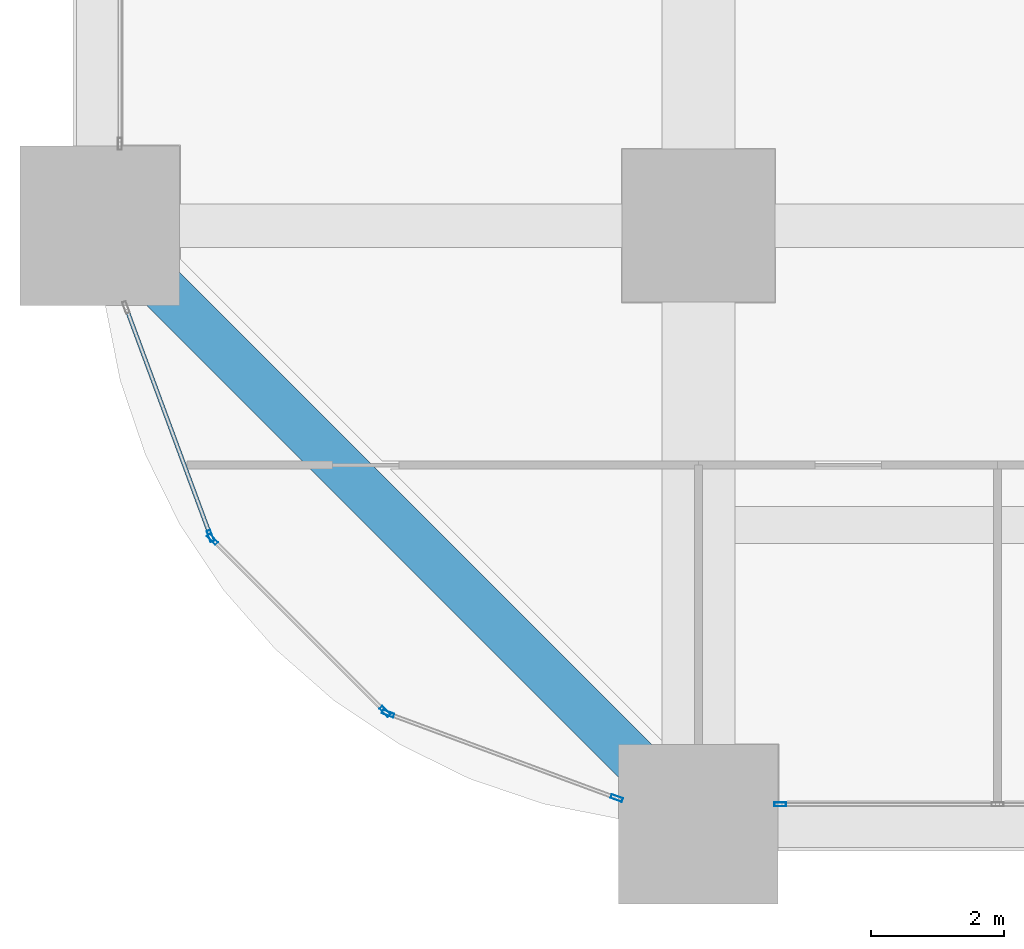
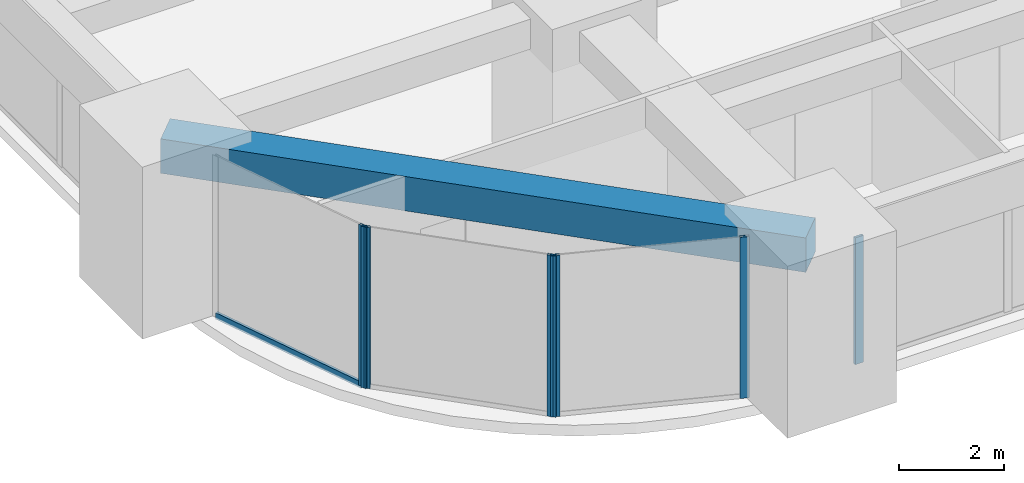
# One storey, part 2 of 45: 7 members, 1 beam, 4 elements without a shape of their own.
"""IFC4 building model written with IfcOpenShell, lengths in metres."""

from ifc_helpers import new_model, si_unit, direction, frame, origin, origin_2d, place, context, subcontext, project, spatial, rectangle, hollow_rectangle, extrude, material, material_profile, profile_set, type_object, element, aggregate, save


model = new_model("IFC4")

# Units and contexts
model_context = context("Model", 3, precision=1e-05, world=origin(), true_north=direction((0.0, 1.0)))
body_context = subcontext(model_context, "Body", "Model", "MODEL_VIEW")
ifc_project = project(units=[si_unit("LENGTHUNIT", "METRE"), si_unit("AREAUNIT", "SQUARE_METRE"), si_unit("VOLUMEUNIT", "CUBIC_METRE"), si_unit("PLANEANGLEUNIT", "RADIAN"), si_unit("MASSUNIT", "GRAM", prefix="KILO")], contexts=[model_context])

# Site, building, storey
site_placement = place(None, origin())
site = spatial("IfcSite", under=ifc_project, at=site_placement, CompositionType="ELEMENT")
building_placement = place(site_placement, origin())
building = spatial("IfcBuilding", under=site, at=building_placement, Name="Zorevar Civic Tower", CompositionType="ELEMENT")
storey_placement = place(building_placement, frame((0.0, 0.0, 47.800048828125)))
storey = spatial("IfcBuildingStorey", under=building, at=storey_placement, Name="L11", CompositionType="ELEMENT", Elevation=47.800048828125)

# Curtain wall, member
ifc_material_1 = material(Name="Dark grey solar-control glass in black aluminium frame", Category="aluminium")
curtain_wall_type = type_object("IfcCurtainWallType", Name="Curtain wall CW2 low zone", PredefinedType="NOTDEFINED", material=ifc_material_1)
curtain_wall_1_placement = place(storey_placement, origin())
curtain_wall_1 = element("IfcCurtainWall", 1, at=curtain_wall_1_placement, inside=storey, type_object=curtain_wall_type, Name="CW2 L11", PredefinedType="NOTDEFINED")
ifc_material_2 = material(Name="Aluminium, black anodised", Category="aluminium")
ifc_material_profile_1 = material_profile(ifc_material_2, hollow_rectangle(XDim=0.06005859375, YDim=0.179931640625, WallThickness=0.00390625, at=origin_2d()), Name="AL 180x60x4")
ifc_profile_set_1 = profile_set([ifc_material_profile_1], Name="Aluminium, black anodised")
member_type_1 = type_object("IfcMemberType", Name="CW2 mullion AL 180x60x4", PredefinedType="MULLION", material=ifc_profile_set_1)
member_1_placement = place(storey_placement, frame((10.22998046875, 0.300048828125, 0.0), z_axis=(0.0, 0.0, 1.0), x_axis=(0.0, 1.0, 0.0)))
member_1 = element("IfcMember", 2, at=member_1_placement, type_object=member_type_1, Name="CW2 mullion 1", PredefinedType="MULLION", context=body_context, shape_type="SweptSolid", body=[
    extrude(hollow_rectangle(XDim=0.06005859375, YDim=0.179931640625, WallThickness=0.00390625, at=origin_2d()), origin(), (0.0, 0.0, 1.0), 2.949951171875),
])
aggregate(curtain_wall_1, [member_1])

curtain_wall_2_placement = place(storey_placement, origin())
curtain_wall_2 = element("IfcCurtainWall", 3, at=curtain_wall_2_placement, inside=storey, type_object=curtain_wall_type, Name="CW2 L11", PredefinedType="NOTDEFINED")
member_2_placement = place(storey_placement, frame((1.663818359375, 4.33544921875, 0.0), z_axis=(0.0, 0.0, 1.0), x_axis=(0.937974588163, 0.346704012033, 0.0)))
member_2 = element("IfcMember", 4, at=member_2_placement, type_object=member_type_1, Name="CW2 mullion 2", PredefinedType="MULLION", context=body_context, shape_type="SweptSolid", body=[
    extrude(hollow_rectangle(XDim=0.06005859375, YDim=0.179931640625, WallThickness=0.00390625, at=origin_2d()), origin(), (0.0, 0.0, 1.0), 3.75),
])

# Curtain wall, members
curtain_wall_3_placement = place(storey_placement, origin())
curtain_wall_3 = element("IfcCurtainWall", 5, at=curtain_wall_3_placement, inside=storey, type_object=curtain_wall_type, Name="CW2 L11", PredefinedType="NOTDEFINED")
member_3_placement = place(storey_placement, frame((1.6953125, 4.2861328125, 0.0), z_axis=(0.0, 0.0, 1.0), x_axis=(0.707106781187, 0.707106781187, 0.0)))
member_3 = element("IfcMember", 6, at=member_3_placement, type_object=member_type_1, Name="CW2 mullion 1", PredefinedType="MULLION", context=body_context, shape_type="SweptSolid", body=[
    extrude(hollow_rectangle(XDim=0.06005859375, YDim=0.179931640625, WallThickness=0.00390625, at=origin_2d()), origin(), (0.0, 0.0, 1.0), 3.75),
])
member_4_placement = place(storey_placement, frame((4.2861328125, 1.6953125, 0.0), z_axis=(0.0, 0.0, 1.0), x_axis=(0.707106781187, 0.707106781187, 0.0)))
member_4 = element("IfcMember", 7, at=member_4_placement, type_object=member_type_1, Name="CW2 mullion 2", PredefinedType="MULLION", context=body_context, shape_type="SweptSolid", body=[
    extrude(hollow_rectangle(XDim=0.06005859375, YDim=0.179931640625, WallThickness=0.00390625, at=origin_2d()), origin(), (0.0, 0.0, 1.0), 3.75),
])
aggregate(curtain_wall_3, [member_3, member_4])

curtain_wall_4_placement = place(storey_placement, origin())
curtain_wall_4 = element("IfcCurtainWall", 8, at=curtain_wall_4_placement, inside=storey, type_object=curtain_wall_type, Name="CW2 L11", PredefinedType="NOTDEFINED")
member_5_placement = place(storey_placement, frame((4.33544921875, 1.663818359375, 0.0), z_axis=(0.0, 0.0, 1.0), x_axis=(0.346704012033, 0.937974588163, 0.0)))
member_5 = element("IfcMember", 9, at=member_5_placement, type_object=member_type_1, Name="CW2 mullion 1", PredefinedType="MULLION", context=body_context, shape_type="SweptSolid", body=[
    extrude(hollow_rectangle(XDim=0.06005859375, YDim=0.179931640625, WallThickness=0.00390625, at=origin_2d()), origin(), (0.0, 0.0, 1.0), 3.75),
])
member_6_placement = place(storey_placement, frame((7.77197265625, 0.3935546875, 0.0), z_axis=(0.0, 0.0, 1.0), x_axis=(0.346704012033, 0.937974588163, 0.0)))
member_6 = element("IfcMember", 10, at=member_6_placement, type_object=member_type_1, Name="CW2 mullion 2", PredefinedType="MULLION", context=body_context, shape_type="SweptSolid", body=[
    extrude(hollow_rectangle(XDim=0.06005859375, YDim=0.179931640625, WallThickness=0.00390625, at=origin_2d()), origin(), (0.0, 0.0, 1.0), 3.75),
])
aggregate(curtain_wall_4, [member_5, member_6])

# Member
ifc_material_3 = material(Name="Aluminium, black anodised", Category="aluminium")
ifc_material_profile_2 = material_profile(ifc_material_3, hollow_rectangle(XDim=0.06005859375, YDim=0.14990234375, WallThickness=0.00390625, at=origin_2d()), Name="AL 150x60x4")
ifc_profile_set_2 = profile_set([ifc_material_profile_2], Name="Aluminium, black anodised")
member_type_2 = type_object("IfcMemberType", Name="CW2 transom AL 150x60x4", PredefinedType="USERDEFINED", material=ifc_profile_set_2)
member_7_placement = place(storey_placement, frame((0.404052734375, 7.74365234375, 0.030029296875), z_axis=(0.346672169799, -0.93798635741, 0.0), x_axis=(0.93798635741, 0.346672169799, 0.0)))
member_7 = element("IfcMember", 11, at=member_7_placement, type_object=member_type_2, Name="CW2 sill transom", ObjectType="TRANSOM", PredefinedType="USERDEFINED", context=body_context, shape_type="SweptSolid", body=[
    extrude(hollow_rectangle(XDim=0.06005859375, YDim=0.14990234375, WallThickness=0.00390625, at=origin_2d()), origin(), (0.0, 0.0, 1.0), 3.603515625),
])

aggregate(curtain_wall_2, [member_2, member_7])

# Beam
ifc_material_4 = material(Name="Concrete C50/60", Category="concrete")
ifc_material_profile_3 = material_profile(ifc_material_4, rectangle(XDim=0.699951171875, YDim=0.800048828125, at=origin_2d()), Name="RC 700x800")
ifc_profile_set_3 = profile_set([ifc_material_profile_3], Name="Concrete C50/60")
beam_type = type_object("IfcBeamType", Name="Edge beam RC 700x800", PredefinedType="SPANDREL", material=ifc_profile_set_3)
beam_placement = place(storey_placement, frame((0.0, 9.0, 3.349853515625), z_axis=(0.707106781187, -0.707106781187, 0.0), x_axis=(0.707106781187, 0.707106781187, 0.0)))
element("IfcBeam", 12, at=beam_placement, inside=storey, type_object=beam_type, Name="Corner edge beam L12", PredefinedType="SPANDREL", context=body_context, shape_type="SweptSolid", body=[
    extrude(rectangle(XDim=0.699951171875, YDim=0.800048828125, at=origin_2d()), origin(), (0.0, 0.0, 1.0), 12.72802734375),
])

save(model, "model.ifc")
